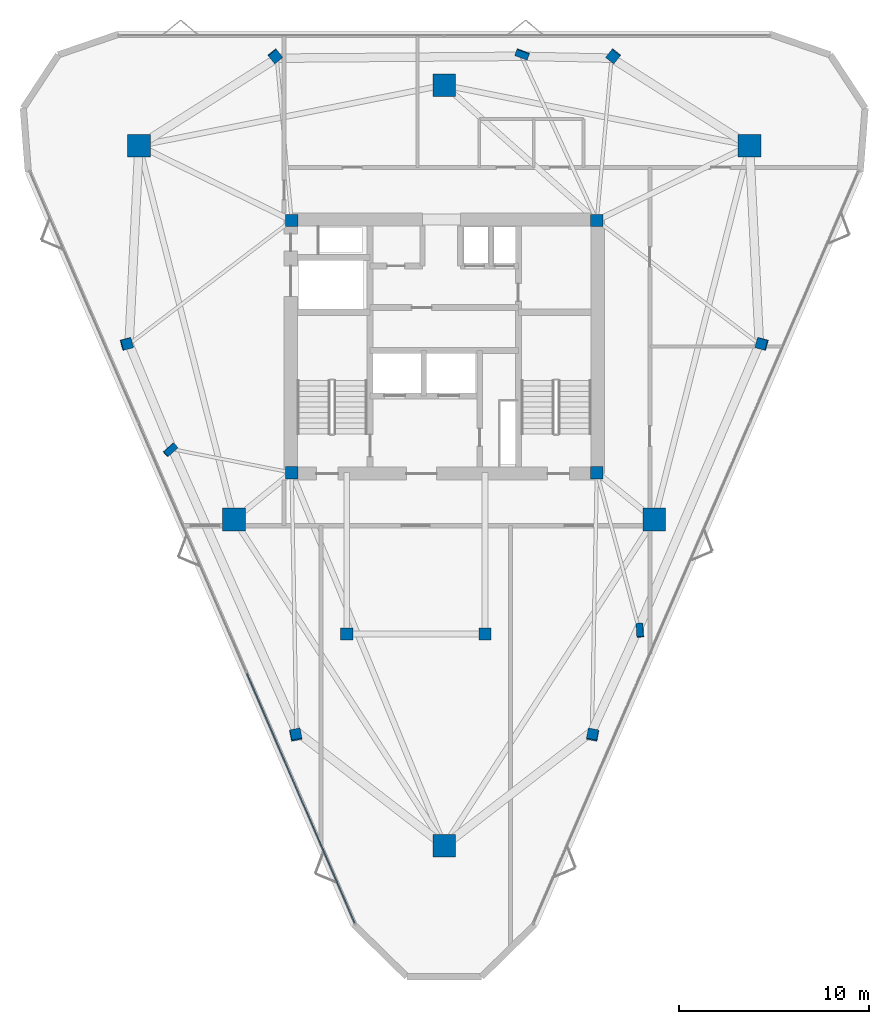
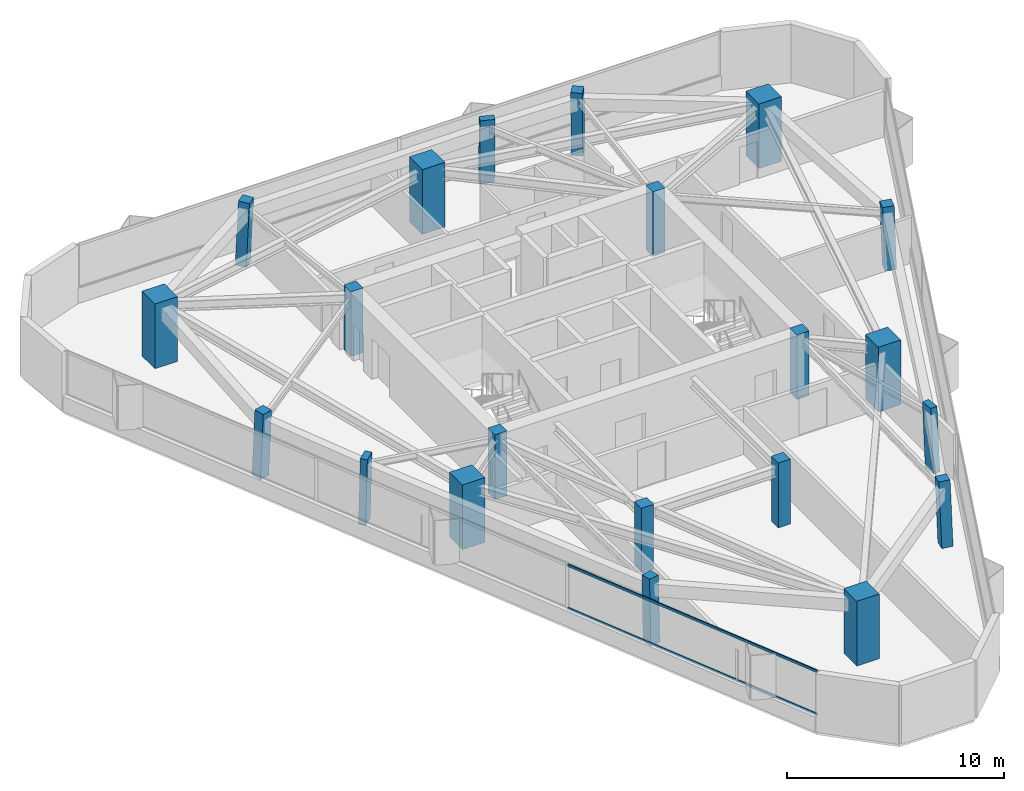
# One storey, part 1 of 11: 21 columns, 2 members, 1 element without a shape of its own.
"""IFC4 building model written with IfcOpenShell, lengths in metres."""

from ifc_helpers import new_model, si_unit, direction, frame, origin, origin_2d, place, context, subcontext, project, spatial, rectangle, extrude, material, layer, layer_set, material_profile, profile_set, type_object, element, aggregate, save


model = new_model("IFC4")

# Units and contexts
model_context = context("Model", 3, precision=1e-05, world=origin(), true_north=direction((0.0, 1.0)))
body_context = subcontext(model_context, "Body", "Model", "MODEL_VIEW")
ifc_project = project(units=[si_unit("LENGTHUNIT", "METRE"), si_unit("AREAUNIT", "SQUARE_METRE"), si_unit("VOLUMEUNIT", "CUBIC_METRE"), si_unit("PLANEANGLEUNIT", "RADIAN"), si_unit("MASSUNIT", "GRAM", prefix="KILO")], contexts=[model_context])

# Site, building, storey
site_placement = place(None, origin())
site = spatial("IfcSite", under=ifc_project, at=site_placement, CompositionType="ELEMENT")
building_placement = place(site_placement, origin())
building = spatial("IfcBuilding", under=site, at=building_placement, Name="Talyreon Biosciences Tower", CompositionType="ELEMENT")
storey_placement = place(building_placement, frame((0.0, 0.0, 271.75)))
storey = spatial("IfcBuildingStorey", under=building, at=storey_placement, Name="L72", CompositionType="ELEMENT", Elevation=271.75)

# Columns
ifc_material_1 = material(Name="Precast concrete C45/55", Category="concrete")
ifc_material_profile_1 = material_profile(ifc_material_1, rectangle(XDim=0.699951171875, YDim=0.35009765625, at=origin_2d()), Name="RC 700x350")
ifc_profile_set_1 = profile_set([ifc_material_profile_1], Name="Precast concrete C45/55")
column_type_1 = type_object("IfcColumnType", Name="FacadePilaster_700x350", PredefinedType="PILASTER", material=ifc_profile_set_1)
column_1_placement = place(storey_placement, frame((76.3349609375, 53.01318359375, 0.0029296875), z_axis=(-0.019611903423, 0.038420588959, 0.999069182584), x_axis=(0.063415371046, -0.997201502207, 0.039593619589)))
element("IfcColumn", 1, at=column_1_placement, inside=storey, type_object=column_type_1, Name="L72 Facade Pilaster PL-SE", PredefinedType="PILASTER", context=body_context, shape_type="SweptSolid", body=[
    extrude(rectangle(XDim=0.699951171875, YDim=0.35009765625, at=origin_2d()), origin(), (0.0, 0.0, 1.0), 3.6474609375),
])
column_2_placement = place(storey_placement, frame((70.12158203125, 83.43408203125, 0.0029296875), z_axis=(-0.01238655289, -0.033544124313, 0.999360478022), x_axis=(-0.9380871136, 0.346399433166, 0.0)))
element("IfcColumn", 2, at=column_2_placement, inside=storey, type_object=column_type_1, Name="L72 Facade Pilaster PL-N", PredefinedType="PILASTER", context=body_context, shape_type="SweptSolid", body=[
    extrude(rectangle(XDim=0.699951171875, YDim=0.35009765625, at=origin_2d()), origin(), (0.0, 0.0, 1.0), 3.646484375),
])
column_3_placement = place(storey_placement, frame((51.54345703125, 62.545166015625, 0.0029296875), z_axis=(0.032006454348, 0.010579539303, 0.999431668614), x_axis=(0.7464331949, 0.664740660224, -0.030940914611)))
element("IfcColumn", 3, at=column_3_placement, inside=storey, type_object=column_type_1, Name="L72 Facade Pilaster PL-SW", PredefinedType="PILASTER", context=body_context, shape_type="SweptSolid", body=[
    extrude(rectangle(XDim=0.699951171875, YDim=0.35009765625, at=origin_2d()), origin(), (0.0, 0.0, 1.0), 3.64599609375),
])
ifc_material_2 = material(Name="Concrete C50/60", Category="concrete")
ifc_material_profile_2 = material_profile(ifc_material_2, rectangle(XDim=1.199951171875, YDim=1.199951171875, at=origin_2d()), Name="RC 1200x1200")
ifc_profile_set_2 = profile_set([ifc_material_profile_2], Name="Concrete C50/60")
column_type_2 = type_object("IfcColumnType", Name="MegaColumn_1200", PredefinedType="COLUMN", material=ifc_profile_set_2)
for number, where, z_axis, x_axis, name in (
    (4, (66.0, 41.6669921875, 0.0), (0.0, 0.0, 1.0), (1.0, 0.0, 0.0), "L72 Composite Mega-Column MC1"),
    (5, (82.102294921875, 78.5986328125, 0.0), (0.0, 0.0, 1.0), (1.0, 0.0, 0.0), "L72 Composite Mega-Column MC2"),
    (6, (49.897705078125, 78.5986328125, 0.0), (0.0, 0.0, 1.0), (1.0, 0.0, 0.0), "L72 Composite Mega-Column MC3"),
    (7, (77.086181640625, 58.88037109375, 0.0), (0.0, 0.0, 1.0), (1.0, 0.0, 0.0), "L72 Composite Mega-Column MC4"),
    (8, (66.0, 81.788818359375, 0.0), (0.0, 0.0, 1.0), (1.0, 0.0, 0.0), "L72 Composite Mega-Column MC5"),
    (9, (54.913818359375, 58.88037109375, 0.0), (0.0, 0.0, 1.0), (1.0, 0.0, 0.0), "L72 Composite Mega-Column MC6"),
):
    element("IfcColumn", number, at=place(storey_placement, frame(where, z_axis=z_axis, x_axis=x_axis)), inside=storey, type_object=column_type_2, Name=name, PredefinedType="COLUMN", context=body_context, shape_type="SweptSolid", body=[
        extrude(rectangle(XDim=1.199951171875, YDim=1.199951171875, at=origin_2d()), origin(), (0.0, 0.0, 1.0), 3.64990234375),
    ])
ifc_material_profile_3 = material_profile(ifc_material_2, rectangle(XDim=0.550048828125, YDim=0.550048828125, at=origin_2d()), Name="RC 550x550")
ifc_profile_set_3 = profile_set([ifc_material_profile_3], Name="Concrete C50/60")
column_type_3 = type_object("IfcColumnType", Name="PerimeterColumn_550", PredefinedType="COLUMN", material=ifc_profile_set_3)
column_4_placement = place(storey_placement, frame((73.8388671875, 47.492919921875, 0.0029296875), z_axis=(-0.012308213911, 0.054517360531, 0.99843696109), x_axis=(-0.185327433448, -0.981336920629, 0.051299031392)))
element("IfcColumn", 10, at=column_4_placement, inside=storey, type_object=column_type_3, Name="L72 Tapering Perimeter Column PC-SE1", PredefinedType="COLUMN", context=body_context, shape_type="SweptSolid", body=[
    extrude(rectangle(XDim=0.550048828125, YDim=0.550048828125, at=origin_2d()), origin(), (0.0, 0.0, 1.0), 3.649658203125),
])
column_5_placement = place(storey_placement, frame((82.768798828125, 68.14501953125, 0.0029296875), z_axis=(-0.03916266647, -0.005623357237, 0.999217025179), x_axis=(0.964246680992, -0.262506339004, 0.036314737767)))
element("IfcColumn", 11, at=column_5_placement, inside=storey, type_object=column_type_3, Name="L72 Tapering Perimeter Column PC-SE2", PredefinedType="COLUMN", context=body_context, shape_type="SweptSolid", body=[
    extrude(rectangle(XDim=0.550048828125, YDim=0.550048828125, at=origin_2d()), origin(), (0.0, 0.0, 1.0), 3.64697265625),
])
for number, where, z_axis, x_axis, name in (
    (12, (74.929931640625, 83.333984375, 0.0029296875), (-0.026841136432, -0.033467751162, 0.999079307676), (-0.780107149771, 0.625645934116, 0.0), "L72 Tapering Perimeter Column PC-N1"),
    (13, (57.070068359375, 83.333984375, 0.0029296875), (0.026841136432, -0.033467751162, 0.999079307676), (-0.780107149771, -0.625645934116, 0.0), "L72 Tapering Perimeter Column PC-N2"),
):
    element("IfcColumn", number, at=place(storey_placement, frame(where, z_axis=z_axis, x_axis=x_axis)), inside=storey, type_object=column_type_3, Name=name, PredefinedType="COLUMN", context=body_context, shape_type="SweptSolid", body=[
        extrude(rectangle(XDim=0.550048828125, YDim=0.550048828125, at=origin_2d()), origin(), (0.0, 0.0, 1.0), 3.6474609375),
    ])
column_6_placement = place(storey_placement, frame((49.231201171875, 68.14501953125, 0.0029296875), z_axis=(0.03916266647, -0.005623357237, 0.999217025179), x_axis=(0.964246680992, 0.262506339004, -0.036314737767)))
element("IfcColumn", 14, at=column_6_placement, inside=storey, type_object=column_type_3, Name="L72 Tapering Perimeter Column PC-SW1", PredefinedType="COLUMN", context=body_context, shape_type="SweptSolid", body=[
    extrude(rectangle(XDim=0.550048828125, YDim=0.550048828125, at=origin_2d()), origin(), (0.0, 0.0, 1.0), 3.64697265625),
])
column_7_placement = place(storey_placement, frame((58.1611328125, 47.492919921875, 0.0029296875), z_axis=(0.012308213911, 0.054517360531, 0.99843696109), x_axis=(-0.185327433448, 0.981336920629, -0.051299031392)))
element("IfcColumn", 15, at=column_7_placement, inside=storey, type_object=column_type_3, Name="L72 Tapering Perimeter Column PC-SW2", PredefinedType="COLUMN", context=body_context, shape_type="SweptSolid", body=[
    extrude(rectangle(XDim=0.550048828125, YDim=0.550048828125, at=origin_2d()), origin(), (0.0, 0.0, 1.0), 3.649658203125),
])
ifc_material_profile_4 = material_profile(ifc_material_2, rectangle(XDim=0.64990234375, YDim=0.64990234375, at=origin_2d()), Name="RC 650x650")
ifc_profile_set_4 = profile_set([ifc_material_profile_4], Name="Concrete C50/60")
column_type_4 = type_object("IfcColumnType", Name="PerimeterColumn_650", PredefinedType="COLUMN", material=ifc_profile_set_4)
for number, where, z_axis, x_axis, name in (
    (16, (57.949951171875, 61.35009765625, 0.0), (0.0, 0.0, 1.0), (1.0, 0.0, 0.0), "L72 Core Column CC1"),
    (17, (74.050048828125, 61.35009765625, 0.0), (0.0, 0.0, 1.0), (1.0, 0.0, 0.0), "L72 Core Column CC2"),
    (18, (74.050048828125, 74.64990234375, 0.0), (0.0, 0.0, 1.0), (1.0, 0.0, 0.0), "L72 Core Column CC3"),
    (19, (57.949951171875, 74.64990234375, 0.0), (0.0, 0.0, 1.0), (1.0, 0.0, 0.0), "L72 Core Column CC4"),
    (20, (60.85009765625, 52.840087890625, 0.0), (0.0, 0.0, 1.0), (1.0, 0.0, 0.0), "L72 Core Column CSW"),
    (21, (68.14990234375, 52.840087890625, 0.0), (0.0, 0.0, 1.0), (1.0, 0.0, 0.0), "L72 Core Column CSE"),
):
    element("IfcColumn", number, at=place(storey_placement, frame(where, z_axis=z_axis, x_axis=x_axis)), inside=storey, type_object=column_type_4, Name=name, PredefinedType="COLUMN", context=body_context, shape_type="SweptSolid", body=[
        extrude(rectangle(XDim=0.64990234375, YDim=0.64990234375, at=origin_2d()), origin(), (0.0, 0.0, 1.0), 3.64990234375),
    ])

# Curtain wall, members
ifc_material_3 = material(Name="Thermally broken aluminium and low-E glazing", Category="aluminium")
ifc_layer = layer(ifc_material_3, 0.175048828125)
ifc_layer_set = layer_set([ifc_layer], Name="Thermally broken aluminium and low-E glazing")
curtain_wall_type = type_object("IfcCurtainWallType", Name="CurtainWall_Zone5CompLab", PredefinedType="NOTDEFINED", material=ifc_layer_set)
curtain_wall_placement = place(storey_placement, origin())
curtain_wall = element("IfcCurtainWall", 22, at=curtain_wall_placement, inside=storey, type_object=curtain_wall_type, Name="L72 Unitised Curtain Wall FCW-L72-00", PredefinedType="NOTDEFINED")
ifc_material_4 = material(Name="Anodised thermally broken aluminium", Category="aluminium")
ifc_material_profile_5 = material_profile(ifc_material_4, rectangle(XDim=0.06494140625, YDim=0.139892578125, at=origin_2d()), Name="ALUM TRANSOM 65x140")
ifc_profile_set_5 = profile_set([ifc_material_profile_5], Name="Anodised thermally broken aluminium")
member_type = type_object("IfcMemberType", Name="CWTransom_65x140", PredefinedType="USERDEFINED", material=ifc_profile_set_5)
member_1_placement = place(storey_placement, frame((61.274658203125, 37.595947265625, 0.842529296875), z_axis=(-0.396877003236, 0.917871801671, 0.0), x_axis=(-0.917871801671, -0.396877003236, 0.0)))
member_1 = element("IfcMember", 23, at=member_1_placement, type_object=member_type, Name="CW6 transom 1.1", ObjectType="TRANSOM", PredefinedType="USERDEFINED", context=body_context, shape_type="SweptSolid", body=[
    extrude(rectangle(XDim=0.06494140625, YDim=0.139892578125, at=origin_2d()), origin(), (0.0, 0.0, 1.0), 14.32568359375),
])
member_2_placement = place(storey_placement, frame((61.274658203125, 37.595947265625, 3.267578125), z_axis=(-0.396877003236, 0.917871801671, 0.0), x_axis=(-0.917871801671, -0.396877003236, 0.0)))
member_2 = element("IfcMember", 24, at=member_2_placement, type_object=member_type, Name="CW6 transom 1.2", ObjectType="TRANSOM", PredefinedType="USERDEFINED", context=body_context, shape_type="SweptSolid", body=[
    extrude(rectangle(XDim=0.06494140625, YDim=0.139892578125, at=origin_2d()), origin(), (0.0, 0.0, 1.0), 14.32568359375),
])
aggregate(curtain_wall, [member_1, member_2])

save(model, "model.ifc")
